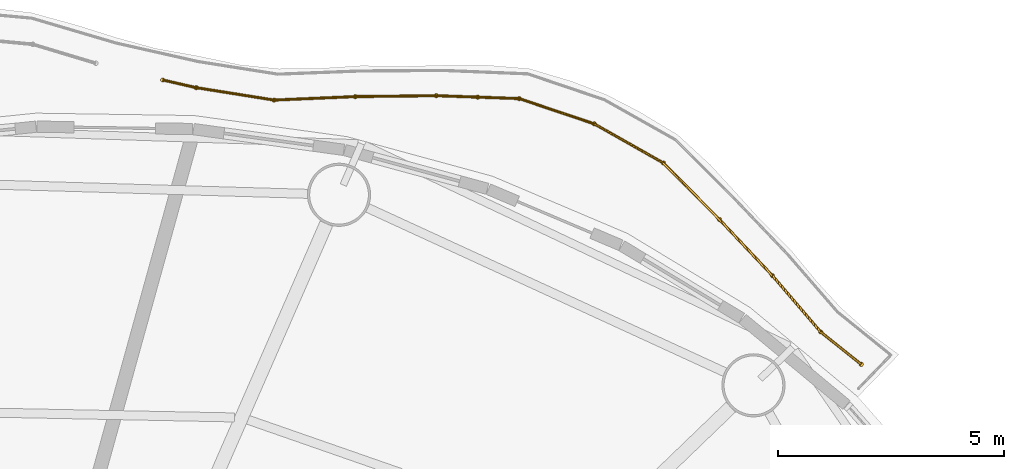
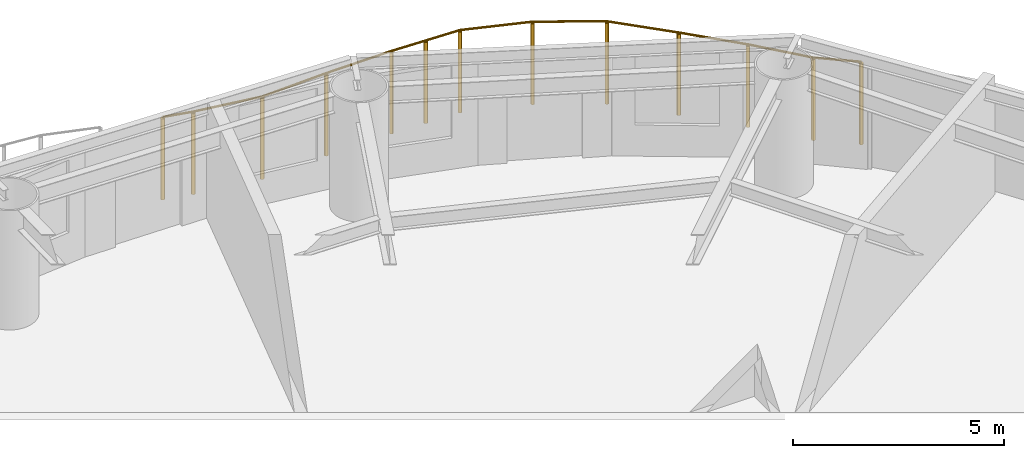
# One storey, part 16 of 16: 1 railing.
"""IFC4 building model written with IfcOpenShell, lengths in metres."""

from ifc_helpers import new_model, si_unit, direction, frame, origin, origin_2d, place, context, subcontext, project, spatial, circle, extrude, material, type_object, element, save


model = new_model("IFC4")

# Units and contexts
model_context = context("Model", 3, precision=1e-05, world=origin(), true_north=direction((0.0, 1.0)))
body_context = subcontext(model_context, "Body", "Model", "MODEL_VIEW")
ifc_project = project(units=[si_unit("LENGTHUNIT", "METRE"), si_unit("AREAUNIT", "SQUARE_METRE"), si_unit("VOLUMEUNIT", "CUBIC_METRE"), si_unit("PLANEANGLEUNIT", "RADIAN"), si_unit("MASSUNIT", "GRAM", prefix="KILO")], contexts=[model_context])

# Site, building, storey
site_placement = place(None, origin())
site = spatial("IfcSite", under=ifc_project, at=site_placement, CompositionType="ELEMENT")
building_placement = place(site_placement, origin())
building = spatial("IfcBuilding", under=site, at=building_placement, Name="Vermilion Reach Broadcast Tower", CompositionType="ELEMENT")
storey_placement = place(building_placement, frame((0.0, 0.0, 147.0)))
storey = spatial("IfcBuildingStorey", under=building, at=storey_placement, Name="L34", CompositionType="ELEMENT", Elevation=147.0)

# Railing
ifc_material = material(Name="Terracotta baguette", Category="masonry")
railing_type = type_object("IfcRailingType", Name="BAGUETTE SCREEN", PredefinedType="USERDEFINED", material=ifc_material)
railing_placement = place(storey_placement, frame((15.412109375, 18.7685546875, 0.0)))
element("IfcRailing", 1, at=railing_placement, inside=storey, type_object=railing_type, Name="Baguette screen L34 group 1 part 1", ObjectType="BAGUETTE SCREEN", PredefinedType="USERDEFINED", context=body_context, shape_type="SweptSolid", body=[
    extrude(circle(Radius=0.030029296875, at=origin_2d()), frame((0.0, 0.0, 2.369873046875), z_axis=(-0.781428147004, 0.623995233211, 0.0), x_axis=(-0.623995233211, -0.781428147004, 0.0)), (0.0, 0.0, 1.0), 1.149169921875),
    extrude(circle(Radius=0.030029296875, at=origin_2d()), frame((-0.89794921875, 0.717041015625, 2.369873046875), z_axis=(-0.650448090311, 0.759550710493, 0.0), x_axis=(-0.759550710493, -0.650448090311, 0.0)), (0.0, 0.0, 1.0), 1.64013671875),
    extrude(circle(Radius=0.030029296875, at=origin_2d()), frame((-1.96484375, 1.962890625, 2.369873046875), z_axis=(-0.686640282403, 0.726997333269, 0.0), x_axis=(-0.726997333269, -0.686640282403, 0.0)), (0.0, 0.0, 1.0), 1.7119140625),
    extrude(circle(Radius=0.030029296875, at=origin_2d()), frame((-3.140380859375, 3.20751953125, 2.369873046875), z_axis=(-0.70384587841, 0.710352714815, 0.0), x_axis=(-0.710352714815, -0.70384587841, 0.0)), (0.0, 0.0, 1.0), 1.763427734375),
    extrude(circle(Radius=0.030029296875, at=origin_2d()), frame((-4.381591796875, 4.460205078125, 2.369873046875), z_axis=(-0.870410446899, 0.492326775556, 0.0), x_axis=(-0.492326775556, -0.870410446899, 0.0)), (0.0, 0.0, 1.0), 1.760986328125),
    extrude(circle(Radius=0.030029296875, at=origin_2d()), frame((-5.914306640625, 5.3271484375, 2.369873046875), z_axis=(-0.947675696298, 0.319234670182, 0.0), x_axis=(-0.319234670182, -0.947675696298, 0.0)), (0.0, 0.0, 1.0), 1.7529296875),
    extrude(circle(Radius=0.030029296875, at=origin_2d()), frame((-7.575439453125, 5.88671875, 2.369873046875), z_axis=(-0.999390611258, 0.034905674736, 0.0), x_axis=(-0.034905674736, -0.999390611258, 0.0)), (0.0, 0.0, 1.0), 1.839599609375),
    extrude(circle(Radius=0.030029296875, at=origin_2d()), frame((-9.413818359375, 5.950927734375, 2.369873046875), z_axis=(-0.999934682504, -0.011429379961, 0.0), x_axis=(0.011429379961, -0.999934682504, 0.0)), (0.0, 0.0, 1.0), 1.794189453125),
    extrude(circle(Radius=0.030029296875, at=origin_2d()), frame((-11.2080078125, 5.930419921875, 2.369873046875), z_axis=(-0.999091172814, -0.042624270145, 0.0), x_axis=(0.042624270145, -0.999091172814, 0.0)), (0.0, 0.0, 1.0), 1.798583984375),
    extrude(circle(Radius=0.030029296875, at=origin_2d()), frame((-13.0048828125, 5.853759765625, 2.369873046875), z_axis=(-0.987531042547, 0.157424394572, 0.0), x_axis=(-0.157424394572, -0.987531042547, 0.0)), (0.0, 0.0, 1.0), 1.749267578125),
    extrude(circle(Radius=0.030029296875, at=origin_2d()), frame((-14.732421875, 6.129150390625, 2.369873046875), z_axis=(-0.97471622757, 0.22344635981, 0.0), x_axis=(-0.22344635981, -0.97471622757, 0.0)), (0.0, 0.0, 1.0), 0.757080078125),
    extrude(circle(Radius=0.050048828125, at=origin_2d()), origin(), (0.0, 0.0, 1.0), 2.33984375),
    extrude(circle(Radius=0.050048828125, at=origin_2d()), frame((-0.89794921875, 0.717041015625, 0.0)), (0.0, 0.0, 1.0), 2.33984375),
    extrude(circle(Radius=0.050048828125, at=origin_2d()), frame((-1.96484375, 1.962890625, 0.0)), (0.0, 0.0, 1.0), 2.33984375),
    extrude(circle(Radius=0.050048828125, at=origin_2d()), frame((-3.140380859375, 3.20751953125, 0.0)), (0.0, 0.0, 1.0), 2.33984375),
    extrude(circle(Radius=0.050048828125, at=origin_2d()), frame((-4.381591796875, 4.460205078125, 0.0)), (0.0, 0.0, 1.0), 2.33984375),
    extrude(circle(Radius=0.050048828125, at=origin_2d()), frame((-5.914306640625, 5.3271484375, 0.0)), (0.0, 0.0, 1.0), 2.33984375),
    extrude(circle(Radius=0.050048828125, at=origin_2d()), frame((-7.575439453125, 5.88671875, 0.0)), (0.0, 0.0, 1.0), 2.33984375),
    extrude(circle(Radius=0.050048828125, at=origin_2d()), frame((-8.49462890625, 5.9189453125, 0.0)), (0.0, 0.0, 1.0), 2.33984375),
    extrude(circle(Radius=0.050048828125, at=origin_2d()), frame((-9.413818359375, 5.950927734375, 0.0)), (0.0, 0.0, 1.0), 2.33984375),
    extrude(circle(Radius=0.050048828125, at=origin_2d()), frame((-11.2080078125, 5.930419921875, 0.0)), (0.0, 0.0, 1.0), 2.33984375),
    extrude(circle(Radius=0.050048828125, at=origin_2d()), frame((-13.0048828125, 5.853759765625, 0.0)), (0.0, 0.0, 1.0), 2.33984375),
    extrude(circle(Radius=0.050048828125, at=origin_2d()), frame((-14.732421875, 6.129150390625, 0.0)), (0.0, 0.0, 1.0), 2.33984375),
    extrude(circle(Radius=0.050048828125, at=origin_2d()), frame((-15.470458984375, 6.29833984375, 0.0)), (0.0, 0.0, 1.0), 2.33984375),
])

save(model, "model.ifc")
